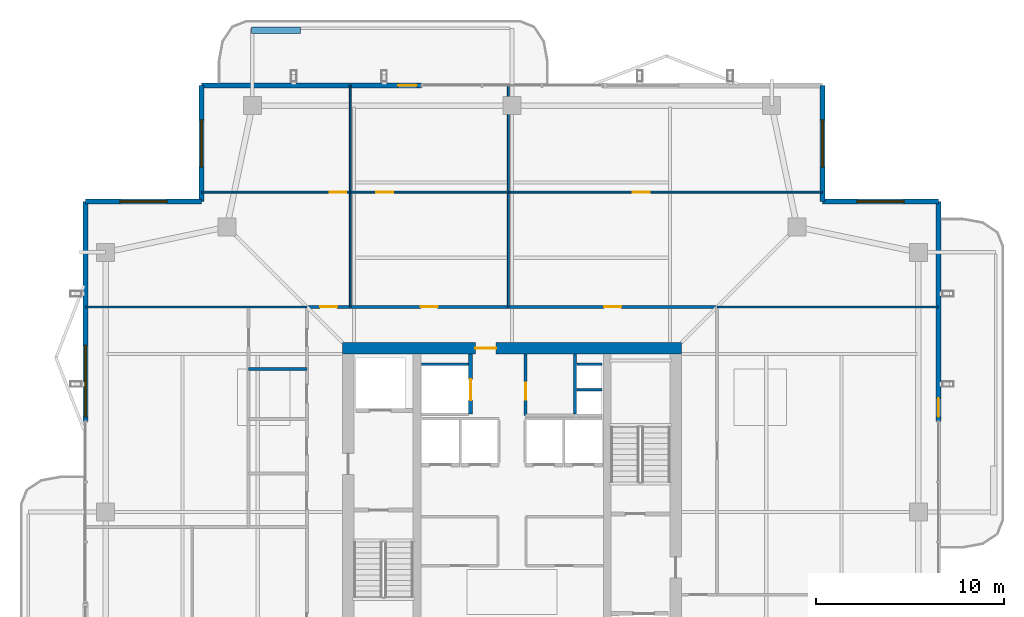
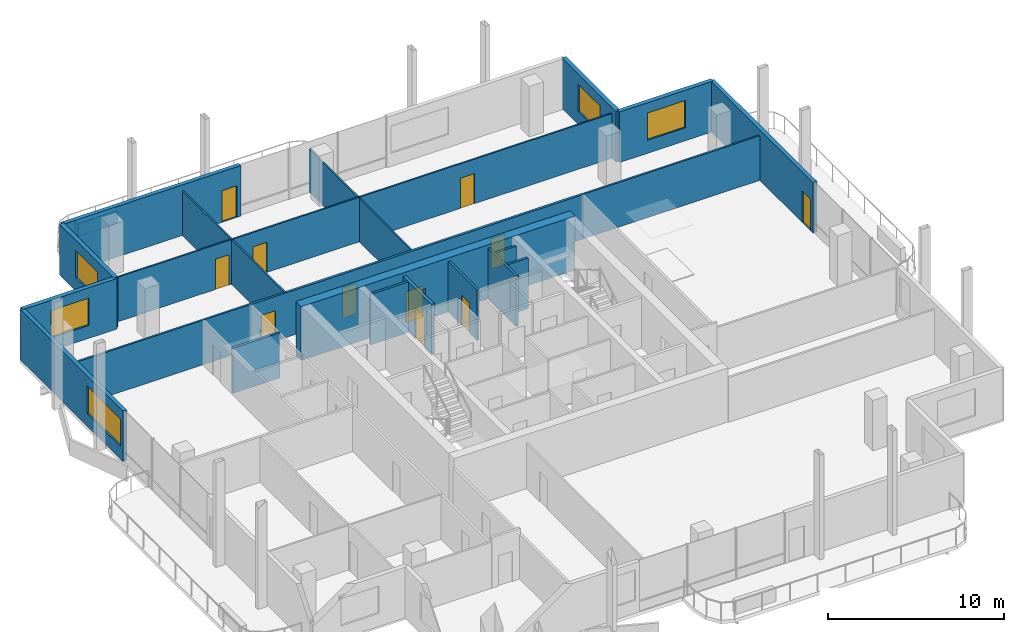
# One storey, part 16 of 20: 24 walls, 11 doors, 5 windows, 16 openings.
"""IFC4 building model written with IfcOpenShell, lengths in metres."""

from ifc_helpers import new_model, si_unit, direction, frame, frame_2d, origin, place, context, subcontext, project, spatial, rectangle, extrude, material, layer, layer_set, type_object, element, fill, save


model = new_model("IFC4")

# Units and contexts
model_context = context("Model", 3, precision=1e-05, world=origin(), true_north=direction((0.0, 1.0)))
body_context = subcontext(model_context, "Body", "Model", "MODEL_VIEW")
ifc_project = project(units=[si_unit("LENGTHUNIT", "METRE"), si_unit("AREAUNIT", "SQUARE_METRE"), si_unit("VOLUMEUNIT", "CUBIC_METRE"), si_unit("PLANEANGLEUNIT", "RADIAN"), si_unit("MASSUNIT", "GRAM", prefix="KILO")], contexts=[model_context])

# Site, building, storey
site_placement = place(None, origin())
site = spatial("IfcSite", under=ifc_project, at=site_placement, CompositionType="ELEMENT")
building_placement = place(site_placement, origin())
building = spatial("IfcBuilding", under=site, at=building_placement, Name="Belovzor Exchange Tower", CompositionType="ELEMENT")
storey_placement = place(building_placement, frame((0.0, 0.0, 299.25)))
storey = spatial("IfcBuildingStorey", under=building, at=storey_placement, Name="L74", CompositionType="ELEMENT", Elevation=299.25)

# Walls
ifc_material_1 = material(Name="Acoustic Plasterboard on Galvanised Studs", Category="gypsum")
ifc_layer_1 = layer(ifc_material_1, 0.1201171875)
ifc_layer_set_1 = layer_set([ifc_layer_1], Name="Acoustic Plasterboard on Galvanised Studs")
wall_type_1 = type_object("IfcWallType", Name="Acoustic Double-Stud Partition Wall 120", PredefinedType="PARTITIONING", material=ifc_layer_set_1)
for number, where, z_axis, x_axis, name in (
    (1, (6.1298828125, 39.699951171875, 0.0), (0.0, 0.0, 1.0), (1.0, 0.0, 0.0), "W-P120 Partition Wall W-L74-END-NW"),
    (2, (39.699951171875, 39.699951171875, 0.0), (0.0, 0.0, 1.0), (1.0, 0.0, 0.0), "W-P120 Partition Wall W-L74-END-NE"),
):
    element("IfcWall", number, at=place(storey_placement, frame(where, z_axis=z_axis, x_axis=x_axis)), inside=storey, type_object=wall_type_1, Name=name, PredefinedType="PARTITIONING", context=body_context, shape_type="SweptSolid", body=[
        extrude(rectangle(XDim=11.77001953125, YDim=0.1201171875, at=frame_2d((5.885009765625, 0.0))), origin(), (0.0, 0.0, 1.0), 3.094970703125),
    ])

# Wall, opening, door
ifc_material_2 = material(Name="Acoustic Laminated Glass and Aluminium", Category="aluminium")
ifc_layer_2 = layer(ifc_material_2, 0.10009765625)
ifc_layer_set_2 = layer_set([ifc_layer_2], Name="Acoustic Laminated Glass and Aluminium")
wall_type_2 = type_object("IfcWallType", Name="Demountable Executive Glass Partition 100", PredefinedType="MOVABLE", material=ifc_layer_set_2)
wall_1_placement = place(storey_placement, frame((12.300048828125, 45.802978515625, 0.0), z_axis=(0.0, 0.0, 1.0), x_axis=(1.0, 0.0, 0.0)))
wall_1 = element("IfcWall", 3, at=wall_1_placement, inside=storey, type_object=wall_type_2, Name="W-M100 Partition Wall W-L74-NHDIV-0", PredefinedType="MOVABLE", context=body_context, shape_type="SweptSolid", body=[
    extrude(rectangle(XDim=7.89990234375, YDim=0.10009765625, at=frame_2d((3.949951171875, 0.0))), origin(), (0.0, 0.0, 1.0), 3.094970703125),
])
opening_1_placement = place(wall_1_placement, frame((6.800048828125, 0.0, 0.0)))
opening_1 = element("IfcOpeningElement", 4, at=opening_1_placement, cuts=wall_1, Name="Opening D-INT-090", PredefinedType="OPENING", context=body_context, shape_type="SweptSolid", body=[
    extrude(rectangle(XDim=0.89990234375, YDim=2.10009765625, at=frame_2d((0.449951171875, 1.050048828125))), frame((0.0, 0.06005859375, 0.0), z_axis=(0.0, -1.0, 0.0), x_axis=(1.0, 0.0, 0.0)), (0.0, 0.0, 1.0), 0.1201171875),
])
ifc_material_3 = material(Name="Veneered Hardwood Acoustic Leaf", Category="wood")
door_type_1 = type_object("IfcDoorType", Name="Trading Suite Acoustic Single Door 900x2100", OperationType="NOTDEFINED", PredefinedType="DOOR", material=ifc_material_3)
door_1_placement = place(opening_1_placement, origin())
door_1 = element("IfcDoor", 5, at=door_1_placement, inside=storey, type_object=door_type_1, Name="D-INT-090 Trading Suite Acoustic Single Door 900x2100", OperationType="SINGLE_SWING_RIGHT", OverallHeight=2.10009765625, OverallWidth=0.89990234375, PredefinedType="DOOR", context=body_context, shape_type="SweptSolid", body=[
    extrude(rectangle(XDim=0.89990234375, YDim=2.10009765625, at=frame_2d((0.449951171875, 1.050048828125))), frame((0.0, 0.02490234375, 0.0), z_axis=(0.0, -1.0, 0.0), x_axis=(1.0, 0.0, 0.0)), (0.0, 0.0, 1.0), 0.050048828125),
])
fill(opening_1, door_1)

# Wall
wall_2_placement = place(storey_placement, frame((20.199951171875, 39.699951171875, 0.0), z_axis=(0.0, 0.0, 1.0), x_axis=(0.0, 1.0, 0.0)))
element("IfcWall", 6, at=wall_2_placement, inside=storey, type_object=wall_type_2, Name="W-M100 Partition Wall W-L74-NDIV-1", PredefinedType="MOVABLE", context=body_context, shape_type="SweptSolid", body=[
    extrude(rectangle(XDim=11.77001953125, YDim=0.10009765625, at=frame_2d((5.885009765625, 0.0))), origin(), (0.0, 0.0, 1.0), 3.094970703125),
])

# Wall, opening, door
wall_3_placement = place(storey_placement, frame((20.199951171875, 45.802978515625, 0.0), z_axis=(0.0, 0.0, 1.0), x_axis=(1.0, 0.0, 0.0)))
wall_3 = element("IfcWall", 7, at=wall_3_placement, inside=storey, type_object=wall_type_2, Name="W-M100 Partition Wall W-L74-NHDIV-1", PredefinedType="MOVABLE", context=body_context, shape_type="SweptSolid", body=[
    extrude(rectangle(XDim=8.405029296875, YDim=0.10009765625, at=frame_2d((4.20263671875, 0.0))), origin(), (0.0, 0.0, 1.0), 3.094970703125),
])
opening_2_placement = place(wall_3_placement, frame((1.384033203125, 0.0, 0.0)))
opening_2 = element("IfcOpeningElement", 8, at=opening_2_placement, cuts=wall_3, Name="Opening D-INT-090", PredefinedType="OPENING", context=body_context, shape_type="SweptSolid", body=[
    extrude(rectangle(XDim=0.89990234375, YDim=2.10009765625, at=frame_2d((0.449951171875, 1.050048828125))), frame((0.0, 0.06005859375, 0.0), z_axis=(0.0, -1.0, 0.0), x_axis=(1.0, 0.0, 0.0)), (0.0, 0.0, 1.0), 0.1201171875),
])
door_2_placement = place(opening_2_placement, origin())
door_2 = element("IfcDoor", 9, at=door_2_placement, inside=storey, type_object=door_type_1, Name="D-INT-090 Trading Suite Acoustic Single Door 900x2100", OperationType="SINGLE_SWING_RIGHT", OverallHeight=2.10009765625, OverallWidth=0.89990234375, PredefinedType="DOOR", context=body_context, shape_type="SweptSolid", body=[
    extrude(rectangle(XDim=0.89990234375, YDim=2.10009765625, at=frame_2d((0.449951171875, 1.050048828125))), frame((0.0, 0.02490234375, 0.0), z_axis=(0.0, -1.0, 0.0), x_axis=(1.0, 0.0, 0.0)), (0.0, 0.0, 1.0), 0.050048828125),
])
fill(opening_2, door_2)

# Wall
wall_4_placement = place(storey_placement, frame((28.60498046875, 39.699951171875, 0.0), z_axis=(0.0, 0.0, 1.0), x_axis=(0.0, 1.0, 0.0)))
element("IfcWall", 10, at=wall_4_placement, inside=storey, type_object=wall_type_2, Name="W-M100 Partition Wall W-L74-NDIV-2", PredefinedType="MOVABLE", context=body_context, shape_type="SweptSolid", body=[
    extrude(rectangle(XDim=11.77001953125, YDim=0.10009765625, at=frame_2d((5.885009765625, 0.0))), origin(), (0.0, 0.0, 1.0), 2.9951171875),
])

# Wall, opening, door
wall_5_placement = place(storey_placement, frame((28.60498046875, 45.802978515625, 0.0), z_axis=(0.0, 0.0, 1.0), x_axis=(1.0, 0.0, 0.0)))
wall_5 = element("IfcWall", 11, at=wall_5_placement, inside=storey, type_object=wall_type_2, Name="W-M100 Partition Wall W-L74-NHDIV-2", PredefinedType="MOVABLE", context=body_context, shape_type="SweptSolid", body=[
    extrude(rectangle(XDim=16.695068359375, YDim=0.10009765625, at=frame_2d((8.34765625, 0.0))), origin(), (0.0, 0.0, 1.0), 3.094970703125),
])
opening_3_placement = place(wall_5_placement, frame((6.614990234375, 0.0, 0.0)))
opening_3 = element("IfcOpeningElement", 12, at=opening_3_placement, cuts=wall_5, Name="Opening D-INT-090", PredefinedType="OPENING", context=body_context, shape_type="SweptSolid", body=[
    extrude(rectangle(XDim=0.89990234375, YDim=2.10009765625, at=frame_2d((0.449951171875, 1.050048828125))), frame((0.0, 0.06005859375, 0.0), z_axis=(0.0, -1.0, 0.0), x_axis=(1.0, 0.0, 0.0)), (0.0, 0.0, 1.0), 0.1201171875),
])
door_3_placement = place(opening_3_placement, origin())
door_3 = element("IfcDoor", 13, at=door_3_placement, inside=storey, type_object=door_type_1, Name="D-INT-090 Trading Suite Acoustic Single Door 900x2100", OperationType="SINGLE_SWING_RIGHT", OverallHeight=2.10009765625, OverallWidth=0.89990234375, PredefinedType="DOOR", context=body_context, shape_type="SweptSolid", body=[
    extrude(rectangle(XDim=0.89990234375, YDim=2.10009765625, at=frame_2d((0.449951171875, 1.050048828125))), frame((0.0, 0.02490234375, 0.0), z_axis=(0.0, -1.0, 0.0), x_axis=(1.0, 0.0, 0.0)), (0.0, 0.0, 1.0), 0.050048828125),
])
fill(opening_3, door_3)

ifc_material_4 = material(Name="Fire-Rated Gypsum Block and Mineral Wool", Category="gypsum")
ifc_layer_3 = layer(ifc_material_4, 0.14990234375)
ifc_layer_set_3 = layer_set([ifc_layer_3], Name="Fire-Rated Gypsum Block and Mineral Wool")
wall_type_3 = type_object("IfcWallType", Name="Fire-Rated Gypsum Block Corridor Wall 150", PredefinedType="PARTITIONING", material=ifc_layer_set_3)
wall_6_placement = place(storey_placement, frame((29.52490234375, 33.925048828125, 0.0), z_axis=(0.0, 0.0, 1.0), x_axis=(0.0, 1.0, 0.0)))
wall_6 = element("IfcWall", 14, at=wall_6_placement, inside=storey, type_object=wall_type_3, Name="W-P150 Partition Wall W-CRV-L74-W", PredefinedType="PARTITIONING", context=body_context, shape_type="SweptSolid", body=[
    extrude(rectangle(XDim=3.27490234375, YDim=0.14990234375, at=frame_2d((1.637451171875, 0.0))), origin(), (0.0, 0.0, 1.0), 3.510009765625),
])
opening_4_placement = place(wall_6_placement, frame((0.85009765625, 0.0, 0.0)))
opening_4 = element("IfcOpeningElement", 15, at=opening_4_placement, cuts=wall_6, Name="Opening D-FD60-090", PredefinedType="OPENING", context=body_context, shape_type="SweptSolid", body=[
    extrude(rectangle(XDim=0.89990234375, YDim=2.10009765625, at=frame_2d((0.449951171875, 1.050048828125))), frame((0.0, 0.0849609375, 0.0), z_axis=(0.0, -1.0, 0.0), x_axis=(1.0, 0.0, 0.0)), (0.0, 0.0, 1.0), 0.169921875),
])
ifc_material_5 = material(Name="Acoustic Timber Fire Leaf", Category="wood")
door_type_2 = type_object("IfcDoorType", Name="Core Service & Restroom Fire Door 900x2100", OperationType="NOTDEFINED", PredefinedType="DOOR", material=ifc_material_5)
door_4_placement = place(opening_4_placement, origin())
door_4 = element("IfcDoor", 16, at=door_4_placement, inside=storey, type_object=door_type_2, Name="D-FD60-090 Core Service & Restroom Fire Door 900x2100", OperationType="SINGLE_SWING_LEFT", OverallHeight=2.10009765625, OverallWidth=0.89990234375, PredefinedType="DOOR", context=body_context, shape_type="SweptSolid", body=[
    extrude(rectangle(XDim=0.89990234375, YDim=2.10009765625, at=frame_2d((0.449951171875, 1.050048828125))), frame((0.0, 0.02490234375, 0.0), z_axis=(0.0, -1.0, 0.0), x_axis=(1.0, 0.0, 0.0)), (0.0, 0.0, 1.0), 0.050048828125),
])
fill(opening_4, door_4)

# Wall
wall_7_placement = place(storey_placement, frame((14.800048828125, 36.39990234375, 0.0), z_axis=(0.0, 0.0, 1.0), x_axis=(1.0, 0.0, 0.0)))
element("IfcWall", 17, at=wall_7_placement, inside=storey, type_object=wall_type_3, Name="W-P150 Partition Wall W-L74-WCN", PredefinedType="PARTITIONING", context=body_context, shape_type="SweptSolid", body=[
    extrude(rectangle(XDim=3.099853515625, YDim=0.14990234375, at=frame_2d((1.5498046875, 0.0))), origin(), (0.0, 0.0, 1.0), 3.135009765625),
])

# Wall, openings, doors
wall_8_placement = place(storey_placement, frame((17.89990234375, 39.699951171875, 0.0), z_axis=(0.0, 0.0, 1.0), x_axis=(1.0, 0.0, 0.0)))
wall_8 = element("IfcWall", 18, at=wall_8_placement, inside=storey, type_object=wall_type_3, Name="W-P150 Partition Wall W-L74-CN", PredefinedType="PARTITIONING", context=body_context, shape_type="SweptSolid", body=[
    extrude(rectangle(XDim=21.800048828125, YDim=0.14990234375, at=frame_2d((10.89990234375, 0.0))), origin(), (0.0, 0.0, 1.0), 3.094970703125),
])
opening_5_placement = place(wall_8_placement, frame((0.699951171875, 0.0, 0.0)))
opening_5 = element("IfcOpeningElement", 19, at=opening_5_placement, cuts=wall_8, Name="Opening D-INT-090", PredefinedType="OPENING", context=body_context, shape_type="SweptSolid", body=[
    extrude(rectangle(XDim=0.89990234375, YDim=2.10009765625, at=frame_2d((0.449951171875, 1.050048828125))), frame((0.0, 0.0849609375, 0.0), z_axis=(0.0, -1.0, 0.0), x_axis=(1.0, 0.0, 0.0)), (0.0, 0.0, 1.0), 0.169921875),
])
opening_6_placement = place(wall_8_placement, frame((6.052978515625, 0.0, 0.0)))
opening_6 = element("IfcOpeningElement", 20, at=opening_6_placement, cuts=wall_8, Name="Opening D-INT-090", PredefinedType="OPENING", context=body_context, shape_type="SweptSolid", body=[
    extrude(rectangle(XDim=0.89990234375, YDim=2.10009765625, at=frame_2d((0.449951171875, 1.050048828125))), frame((0.0, 0.0849609375, 0.0), z_axis=(0.0, -1.0, 0.0), x_axis=(1.0, 0.0, 0.0)), (0.0, 0.0, 1.0), 0.169921875),
])
opening_7_placement = place(wall_8_placement, frame((15.802978515625, 0.0, 0.0)))
opening_7 = element("IfcOpeningElement", 21, at=opening_7_placement, cuts=wall_8, Name="Opening D-INT-090", PredefinedType="OPENING", context=body_context, shape_type="SweptSolid", body=[
    extrude(rectangle(XDim=0.89990234375, YDim=2.10009765625, at=frame_2d((0.449951171875, 1.050048828125))), frame((0.0, 0.0849609375, 0.0), z_axis=(0.0, -1.0, 0.0), x_axis=(1.0, 0.0, 0.0)), (0.0, 0.0, 1.0), 0.169921875),
])
door_5_placement = place(opening_5_placement, origin())
door_5 = element("IfcDoor", 22, at=door_5_placement, inside=storey, type_object=door_type_1, Name="D-INT-090 Trading Suite Acoustic Single Door 900x2100", OperationType="SINGLE_SWING_RIGHT", OverallHeight=2.10009765625, OverallWidth=0.89990234375, PredefinedType="DOOR", context=body_context, shape_type="SweptSolid", body=[
    extrude(rectangle(XDim=0.89990234375, YDim=2.10009765625, at=frame_2d((0.449951171875, 1.050048828125))), frame((0.0, 0.02490234375, 0.0), z_axis=(0.0, -1.0, 0.0), x_axis=(1.0, 0.0, 0.0)), (0.0, 0.0, 1.0), 0.050048828125),
])
fill(opening_5, door_5)
door_6_placement = place(opening_6_placement, origin())
door_6 = element("IfcDoor", 23, at=door_6_placement, inside=storey, type_object=door_type_1, Name="D-INT-090 Trading Suite Acoustic Single Door 900x2100", OperationType="SINGLE_SWING_LEFT", OverallHeight=2.10009765625, OverallWidth=0.89990234375, PredefinedType="DOOR", context=body_context, shape_type="SweptSolid", body=[
    extrude(rectangle(XDim=0.89990234375, YDim=2.10009765625, at=frame_2d((0.449951171875, 1.050048828125))), frame((0.0, 0.02490234375, 0.0), z_axis=(0.0, -1.0, 0.0), x_axis=(1.0, 0.0, 0.0)), (0.0, 0.0, 1.0), 0.050048828125),
])
fill(opening_6, door_6)
door_7_placement = place(opening_7_placement, origin())
door_7 = element("IfcDoor", 24, at=door_7_placement, inside=storey, type_object=door_type_1, Name="D-INT-090 Trading Suite Acoustic Single Door 900x2100", OperationType="SINGLE_SWING_RIGHT", OverallHeight=2.10009765625, OverallWidth=0.89990234375, PredefinedType="DOOR", context=body_context, shape_type="SweptSolid", body=[
    extrude(rectangle(XDim=0.89990234375, YDim=2.10009765625, at=frame_2d((0.449951171875, 1.050048828125))), frame((0.0, 0.02490234375, 0.0), z_axis=(0.0, -1.0, 0.0), x_axis=(1.0, 0.0, 0.0)), (0.0, 0.0, 1.0), 0.050048828125),
])
fill(opening_7, door_7)

# Wall, opening, window
ifc_material_6 = material(Name="Precast concrete C40/50", Category="concrete")
ifc_layer_4 = layer(ifc_material_6, 0.280029296875)
ifc_layer_set_4 = layer_set([ifc_layer_4], Name="Precast concrete C40/50")
wall_type_4 = type_object("IfcWallType", Name="Precast Concrete Notched Corner Frame Wall 280", PredefinedType="SOLIDWALL", material=ifc_layer_set_4)
wall_9_placement = place(storey_placement, frame((6.1298828125, 45.300048828125, 0.0), z_axis=(0.0, 0.0, 1.0), x_axis=(1.0, 0.0, 0.0)))
wall_9 = element("IfcWall", 25, at=wall_9_placement, inside=storey, type_object=wall_type_4, Name="W-CRN280 Precast Concrete Notched Corner Frame Wall 280 L74", PredefinedType="SOLIDWALL", context=body_context, shape_type="SweptSolid", body=[
    extrude(rectangle(XDim=6.170166015625, YDim=0.280029296875, at=frame_2d((3.0849609375, 0.0))), origin(), (0.0, 0.0, 1.0), 3.510009765625),
])
opening_8_placement = place(wall_9_placement, frame((1.8349609375, 0.0, 0.89990234375)))
opening_8 = element("IfcOpeningElement", 26, at=opening_8_placement, cuts=wall_9, Name="Opening WN-CRN250", PredefinedType="OPENING", context=body_context, shape_type="SweptSolid", body=[
    extrude(rectangle(XDim=2.5, YDim=1.89990234375, at=frame_2d((1.25, 0.949951171875))), frame((0.0, 0.14990234375, 0.0), z_axis=(0.0, -1.0, 0.0), x_axis=(1.0, 0.0, 0.0)), (0.0, 0.0, 1.0), 0.300048828125),
])
ifc_material_7 = material(Name="Thermally Broken Aluminium and Triple Glazing", Category="aluminium")
window_type_1 = type_object("IfcWindowType", Name="Streamline Moderne Corner Wrap Ribbon Window 2500x1900", PartitioningType="SINGLE_PANEL", PredefinedType="WINDOW", material=ifc_material_7)
window_1_placement = place(opening_8_placement, origin())
window_1 = element("IfcWindow", 27, at=window_1_placement, inside=storey, type_object=window_type_1, Name="WN-CRN250 Streamline Moderne Corner Wrap Ribbon Window 2500x1900", OverallHeight=1.89990234375, OverallWidth=2.5, PartitioningType="SINGLE_PANEL", PredefinedType="WINDOW", context=body_context, shape_type="SweptSolid", body=[
    extrude(rectangle(XDim=2.5, YDim=1.89990234375, at=frame_2d((1.25, 0.949951171875))), frame((0.0, 0.030029296875, 0.0), z_axis=(0.0, -1.0, 0.0), x_axis=(1.0, 0.0, 0.0)), (0.0, 0.0, 1.0), 0.06005859375),
])
fill(opening_8, window_1)

wall_10_placement = place(storey_placement, frame((12.300048828125, 45.300048828125, 0.0), z_axis=(0.0, 0.0, 1.0), x_axis=(0.0, 1.0, 0.0)))
wall_10 = element("IfcWall", 28, at=wall_10_placement, inside=storey, type_object=wall_type_4, Name="W-CRN280 Precast Concrete Notched Corner Frame Wall 280 L74", PredefinedType="SOLIDWALL", context=body_context, shape_type="SweptSolid", body=[
    extrude(rectangle(XDim=6.169921875, YDim=0.280029296875, at=frame_2d((3.0849609375, 0.0))), origin(), (0.0, 0.0, 1.0), 3.510009765625),
])
opening_9_placement = place(wall_10_placement, frame((1.8349609375, 0.0, 0.89990234375)))
opening_9 = element("IfcOpeningElement", 29, at=opening_9_placement, cuts=wall_10, Name="Opening WN-CRN250", PredefinedType="OPENING", context=body_context, shape_type="SweptSolid", body=[
    extrude(rectangle(XDim=2.5, YDim=1.89990234375, at=frame_2d((1.25, 0.949951171875))), frame((0.0, 0.14990234375, 0.0), z_axis=(0.0, -1.0, 0.0), x_axis=(1.0, 0.0, 0.0)), (0.0, 0.0, 1.0), 0.300048828125),
])
window_2_placement = place(opening_9_placement, origin())
window_2 = element("IfcWindow", 30, at=window_2_placement, inside=storey, type_object=window_type_1, Name="WN-CRN250 Streamline Moderne Corner Wrap Ribbon Window 2500x1900", OverallHeight=1.89990234375, OverallWidth=2.5, PartitioningType="SINGLE_PANEL", PredefinedType="WINDOW", context=body_context, shape_type="SweptSolid", body=[
    extrude(rectangle(XDim=2.5, YDim=1.89990234375, at=frame_2d((1.25, 0.949951171875))), frame((0.0, 0.030029296875, 0.0), z_axis=(0.0, -1.0, 0.0), x_axis=(1.0, 0.0, 0.0)), (0.0, 0.0, 1.0), 0.06005859375),
])
fill(opening_9, window_2)

wall_11_placement = place(storey_placement, frame((45.300048828125, 51.469970703125, 0.0), z_axis=(0.0, 0.0, 1.0), x_axis=(0.0, -1.0, 0.0)))
wall_11 = element("IfcWall", 31, at=wall_11_placement, inside=storey, type_object=wall_type_4, Name="W-CRN280 Precast Concrete Notched Corner Frame Wall 280 L74", PredefinedType="SOLIDWALL", context=body_context, shape_type="SweptSolid", body=[
    extrude(rectangle(XDim=6.169921875, YDim=0.280029296875, at=frame_2d((3.0849609375, 0.0))), origin(), (0.0, 0.0, 1.0), 3.510009765625),
])
opening_10_placement = place(wall_11_placement, frame((1.8349609375, 0.0, 0.89990234375)))
opening_10 = element("IfcOpeningElement", 32, at=opening_10_placement, cuts=wall_11, Name="Opening WN-CRN250", PredefinedType="OPENING", context=body_context, shape_type="SweptSolid", body=[
    extrude(rectangle(XDim=2.5, YDim=1.89990234375, at=frame_2d((1.25, 0.949951171875))), frame((0.0, 0.14990234375, 0.0), z_axis=(0.0, -1.0, 0.0), x_axis=(1.0, 0.0, 0.0)), (0.0, 0.0, 1.0), 0.300048828125),
])
window_3_placement = place(opening_10_placement, origin())
window_3 = element("IfcWindow", 33, at=window_3_placement, inside=storey, type_object=window_type_1, Name="WN-CRN250 Streamline Moderne Corner Wrap Ribbon Window 2500x1900", OverallHeight=1.89990234375, OverallWidth=2.5, PartitioningType="SINGLE_PANEL", PredefinedType="WINDOW", context=body_context, shape_type="SweptSolid", body=[
    extrude(rectangle(XDim=2.5, YDim=1.89990234375, at=frame_2d((1.25, 0.949951171875))), frame((0.0, 0.030029296875, 0.0), z_axis=(0.0, -1.0, 0.0), x_axis=(1.0, 0.0, 0.0)), (0.0, 0.0, 1.0), 0.06005859375),
])
fill(opening_10, window_3)

wall_12_placement = place(storey_placement, frame((45.300048828125, 45.300048828125, 0.0), z_axis=(0.0, 0.0, 1.0), x_axis=(1.0, 0.0, 0.0)))
wall_12 = element("IfcWall", 34, at=wall_12_placement, inside=storey, type_object=wall_type_4, Name="W-CRN280 Precast Concrete Notched Corner Frame Wall 280 L74", PredefinedType="SOLIDWALL", context=body_context, shape_type="SweptSolid", body=[
    extrude(rectangle(XDim=6.169921875, YDim=0.280029296875, at=frame_2d((3.0849609375, 0.0))), origin(), (0.0, 0.0, 1.0), 3.510009765625),
])
opening_11_placement = place(wall_12_placement, frame((1.8349609375, 0.0, 0.89990234375)))
opening_11 = element("IfcOpeningElement", 35, at=opening_11_placement, cuts=wall_12, Name="Opening WN-CRN250", PredefinedType="OPENING", context=body_context, shape_type="SweptSolid", body=[
    extrude(rectangle(XDim=2.5, YDim=1.89990234375, at=frame_2d((1.25, 0.949951171875))), frame((0.0, 0.14990234375, 0.0), z_axis=(0.0, -1.0, 0.0), x_axis=(1.0, 0.0, 0.0)), (0.0, 0.0, 1.0), 0.300048828125),
])
window_4_placement = place(opening_11_placement, origin())
window_4 = element("IfcWindow", 36, at=window_4_placement, inside=storey, type_object=window_type_1, Name="WN-CRN250 Streamline Moderne Corner Wrap Ribbon Window 2500x1900", OverallHeight=1.89990234375, OverallWidth=2.5, PartitioningType="SINGLE_PANEL", PredefinedType="WINDOW", context=body_context, shape_type="SweptSolid", body=[
    extrude(rectangle(XDim=2.5, YDim=1.89990234375, at=frame_2d((1.25, 0.949951171875))), frame((0.0, 0.030029296875, 0.0), z_axis=(0.0, -1.0, 0.0), x_axis=(1.0, 0.0, 0.0)), (0.0, 0.0, 1.0), 0.06005859375),
])
fill(opening_11, window_4)

# Wall, opening, door
ifc_material_8 = material(Name="Precast concrete C40/50", Category="concrete")
ifc_layer_5 = layer(ifc_material_8, 0.260009765625)
ifc_layer_set_5 = layer_set([ifc_layer_5], Name="Precast concrete C40/50")
wall_type_5 = type_object("IfcWallType", Name="Precast Concrete Perimeter Loggia Frame Wall 260", PredefinedType="SOLIDWALL", material=ifc_layer_set_5)
wall_13_placement = place(storey_placement, frame((12.300048828125, 51.469970703125, 0.0), z_axis=(0.0, 0.0, 1.0), x_axis=(1.0, 0.0, 0.0)))
wall_13 = element("IfcWall", 37, at=wall_13_placement, inside=storey, type_object=wall_type_5, Name="W-EXT260 Precast Concrete Perimeter Loggia Frame Wall 260 L74", PredefinedType="SOLIDWALL", context=body_context, shape_type="SweptSolid", body=[
    extrude(rectangle(XDim=11.699951171875, YDim=0.260009765625, at=frame_2d((5.85009765625, 0.0))), origin(), (0.0, 0.0, 1.0), 3.510009765625),
])
opening_12_placement = place(wall_13_placement, frame((10.449951171875, 0.0, 0.0)))
opening_12 = element("IfcOpeningElement", 38, at=opening_12_placement, cuts=wall_13, Name="Opening D-BAL100", PredefinedType="OPENING", context=body_context, shape_type="SweptSolid", body=[
    extrude(rectangle(XDim=1.0, YDim=2.199951171875, at=frame_2d((0.5, 1.10009765625))), frame((0.0, 0.139892578125, 0.0), z_axis=(0.0, -1.0, 0.0), x_axis=(1.0, 0.0, 0.0)), (0.0, 0.0, 1.0), 0.280029296875),
])
ifc_material_9 = material(Name="Thermally Broken Anodised Aluminium and Laminated Glass", Category="aluminium")
door_type_3 = type_object("IfcDoorType", Name="Planted Loggia Terrace Glazed Door 1000x2200", OperationType="SINGLE_SWING_LEFT", PredefinedType="DOOR", material=ifc_material_9)
door_8_placement = place(opening_12_placement, origin())
door_8 = element("IfcDoor", 39, at=door_8_placement, inside=storey, type_object=door_type_3, Name="D-BAL100 Balcony Terrace Door L74 N", OperationType="SINGLE_SWING_RIGHT", OverallHeight=2.199951171875, OverallWidth=1.0, PredefinedType="DOOR", context=body_context, shape_type="SweptSolid", body=[
    extrude(rectangle(XDim=1.0, YDim=2.199951171875, at=frame_2d((0.5, 1.10009765625))), frame((0.0, 0.02490234375, 0.0), z_axis=(0.0, -1.0, 0.0), x_axis=(1.0, 0.0, 0.0)), (0.0, 0.0, 1.0), 0.050048828125),
])
fill(opening_12, door_8)

# Wall, opening, window
wall_14_placement = place(storey_placement, frame((6.1298828125, 33.60009765625, 0.0), z_axis=(0.0, 0.0, 1.0), x_axis=(0.0, 1.0, 0.0)))
wall_14 = element("IfcWall", 40, at=wall_14_placement, inside=storey, type_object=wall_type_5, Name="W-EXT260 Precast Concrete Perimeter Loggia Frame Wall 260 L74", PredefinedType="SOLIDWALL", context=body_context, shape_type="SweptSolid", body=[
    extrude(rectangle(XDim=11.699951171875, YDim=0.260009765625, at=frame_2d((5.85009765625, 0.0))), origin(), (0.0, 0.0, 1.0), 3.510009765625),
])
opening_13_placement = place(wall_14_placement, frame((0.25, 0.0, 0.89990234375)))
opening_13 = element("IfcOpeningElement", 41, at=opening_13_placement, cuts=wall_14, Name="Opening WN-RIB380", PredefinedType="OPENING", context=body_context, shape_type="SweptSolid", body=[
    extrude(rectangle(XDim=3.800048828125, YDim=1.89990234375, at=frame_2d((1.89990234375, 0.949951171875))), frame((0.0, 0.139892578125, 0.0), z_axis=(0.0, -1.0, 0.0), x_axis=(1.0, 0.0, 0.0)), (0.0, 0.0, 1.0), 0.280029296875),
])
ifc_material_10 = material(Name="Thermally Broken Aluminium and Triple Glazing", Category="aluminium")
window_type_2 = type_object("IfcWindowType", Name="Streamline Moderne Horizontal Ribbon Window 3800x1900", PartitioningType="SINGLE_PANEL", PredefinedType="WINDOW", material=ifc_material_10)
window_5_placement = place(opening_13_placement, origin())
window_5 = element("IfcWindow", 42, at=window_5_placement, inside=storey, type_object=window_type_2, Name="WN-RIB380 Streamline Moderne Horizontal Ribbon Window 3800x1900", OverallHeight=1.89990234375, OverallWidth=3.800048828125, PartitioningType="SINGLE_PANEL", PredefinedType="WINDOW", context=body_context, shape_type="SweptSolid", body=[
    extrude(rectangle(XDim=3.800048828125, YDim=1.89990234375, at=frame_2d((1.89990234375, 0.949951171875))), frame((0.0, 0.030029296875, 0.0), z_axis=(0.0, -1.0, 0.0), x_axis=(1.0, 0.0, 0.0)), (0.0, 0.0, 1.0), 0.06005859375),
])
fill(opening_13, window_5)

# Wall, opening, door
wall_15_placement = place(storey_placement, frame((51.469970703125, 45.300048828125, 0.0), z_axis=(0.0, 0.0, 1.0), x_axis=(0.0, -1.0, 0.0)))
wall_15 = element("IfcWall", 43, at=wall_15_placement, inside=storey, type_object=wall_type_5, Name="W-EXT260 Precast Concrete Perimeter Loggia Frame Wall 260 L74", PredefinedType="SOLIDWALL", context=body_context, shape_type="SweptSolid", body=[
    extrude(rectangle(XDim=11.699951171875, YDim=0.260009765625, at=frame_2d((5.85009765625, 0.0))), origin(), (0.0, 0.0, 1.0), 3.510009765625),
])
opening_14_placement = place(wall_15_placement, frame((10.449951171875, 0.0, 0.0)))
opening_14 = element("IfcOpeningElement", 44, at=opening_14_placement, cuts=wall_15, Name="Opening D-BAL100", PredefinedType="OPENING", context=body_context, shape_type="SweptSolid", body=[
    extrude(rectangle(XDim=1.0, YDim=2.199951171875, at=frame_2d((0.5, 1.10009765625))), frame((0.0, 0.139892578125, 0.0), z_axis=(0.0, -1.0, 0.0), x_axis=(1.0, 0.0, 0.0)), (0.0, 0.0, 1.0), 0.280029296875),
])
door_9_placement = place(opening_14_placement, origin())
door_9 = element("IfcDoor", 45, at=door_9_placement, inside=storey, type_object=door_type_3, Name="D-BAL100 Balcony Terrace Door L74 E", OperationType="SINGLE_SWING_LEFT", OverallHeight=2.199951171875, OverallWidth=1.0, PredefinedType="DOOR", context=body_context, shape_type="SweptSolid", body=[
    extrude(rectangle(XDim=1.0, YDim=2.199951171875, at=frame_2d((0.5, 1.10009765625))), frame((0.0, 0.02490234375, 0.0), z_axis=(0.0, -1.0, 0.0), x_axis=(1.0, 0.0, 0.0)), (0.0, 0.0, 1.0), 0.050048828125),
])
fill(opening_14, door_9)

# Walls
ifc_material_11 = material(Name="Precast concrete C40/50", Category="concrete")
ifc_layer_6 = layer(ifc_material_11, 0.35009765625)
ifc_layer_set_6 = layer_set([ifc_layer_6], Name="Precast concrete C40/50")
wall_type_6 = type_object("IfcWallType", Name="Precast Concrete Structural Tree Planter Trough 350", PredefinedType="PARAPET", material=ifc_layer_set_6)
wall_16_placement = place(storey_placement, frame((14.949951171875, 54.39990234375, 0.0), z_axis=(0.0, 0.0, 1.0), x_axis=(1.0, 0.0, 0.0)))
element("IfcWall", 46, at=wall_16_placement, inside=storey, type_object=wall_type_6, Name="PT-350 Precast Concrete Structural Tree Planter Trough 350 L74", PredefinedType="PARAPET", context=body_context, shape_type="SweptSolid", body=[
    extrude(rectangle(XDim=2.60009765625, YDim=0.35009765625, at=frame_2d((1.300048828125, 0.0))), origin(), (0.0, 0.0, 1.0), 0.89990234375),
])
ifc_material_12 = material(Name="Concrete C50/60", Category="concrete")
ifc_layer_7 = layer(ifc_material_12, 0.14990234375)
ifc_layer_set_7 = layer_set([ifc_layer_7], Name="Concrete C50/60")
wall_type_7 = type_object("IfcWallType", Name="Reinforced Concrete Core Riser Shear Wall 150", PredefinedType="SHEAR", material=ifc_layer_set_7)
wall_17_placement = place(storey_placement, frame((32.14990234375, 34.0, 0.0), z_axis=(0.0, 0.0, 1.0), x_axis=(0.0, 1.0, 0.0)))
element("IfcWall", 47, at=wall_17_placement, inside=storey, type_object=wall_type_7, Name="W-C150S Core Shaft Wall W-RSR-L74-E", PredefinedType="SHEAR", context=body_context, shape_type="SweptSolid", body=[
    extrude(rectangle(XDim=3.199951171875, YDim=0.14990234375, at=frame_2d((1.60009765625, 0.0))), origin(), (0.0, 0.0, 1.0), 3.510009765625),
])
wall_18_placement = place(storey_placement, frame((32.25, 35.300048828125, 0.0), z_axis=(0.0, 0.0, 1.0), x_axis=(1.0, 0.0, 0.0)))
element("IfcWall", 48, at=wall_18_placement, inside=storey, type_object=wall_type_7, Name="W-C150S Core Shaft Wall W-RSR-L74-M", PredefinedType="SHEAR", context=body_context, shape_type="SweptSolid", body=[
    extrude(rectangle(XDim=1.330078125, YDim=0.14990234375, at=frame_2d((0.6650390625, 0.0))), origin(), (0.0, 0.0, 1.0), 3.510009765625),
])
wall_19_placement = place(storey_placement, frame((24.0, 36.64990234375, 0.0), z_axis=(0.0, 0.0, 1.0), x_axis=(1.0, 0.0, 0.0)))
element("IfcWall", 49, at=wall_19_placement, inside=storey, type_object=wall_type_7, Name="W-C150S Core Shaft Wall W-SH-L74-SL-01N", PredefinedType="SHEAR", context=body_context, shape_type="SweptSolid", body=[
    extrude(rectangle(XDim=2.47998046875, YDim=0.14990234375, at=frame_2d((1.239990234375, 0.0))), origin(), (0.0, 0.0, 1.0), 3.510009765625),
])
wall_20_placement = place(storey_placement, frame((32.25, 36.64990234375, 0.0), z_axis=(0.0, 0.0, 1.0), x_axis=(1.0, 0.0, 0.0)))
element("IfcWall", 50, at=wall_20_placement, inside=storey, type_object=wall_type_7, Name="W-C150S Core Shaft Wall W-RSR-L74-N", PredefinedType="SHEAR", context=body_context, shape_type="SweptSolid", body=[
    extrude(rectangle(XDim=1.330078125, YDim=0.14990234375, at=frame_2d((0.6650390625, 0.0))), origin(), (0.0, 0.0, 1.0), 3.510009765625),
])

# Wall, opening, door
ifc_material_13 = material(Name="Concrete C50/60", Category="concrete")
ifc_layer_8 = layer(ifc_material_13, 0.199951171875)
ifc_layer_set_8 = layer_set([ifc_layer_8], Name="Concrete C50/60")
wall_type_8 = type_object("IfcWallType", Name="Reinforced Concrete Core Shaft Shear Wall 200", PredefinedType="SHEAR", material=ifc_layer_set_8)
wall_21_placement = place(storey_placement, frame((26.60009765625, 34.0, 0.0), z_axis=(0.0, 0.0, 1.0), x_axis=(0.0, 1.0, 0.0)))
wall_21 = element("IfcWall", 51, at=wall_21_placement, inside=storey, type_object=wall_type_8, Name="W-C200S Core Shaft Wall W-SH-L74-SL-01", PredefinedType="SHEAR", context=body_context, shape_type="SweptSolid", body=[
    extrude(rectangle(XDim=3.199951171875, YDim=0.199951171875, at=frame_2d((1.60009765625, 0.0))), origin(), (0.0, 0.0, 1.0), 3.510009765625),
])
opening_15_placement = place(wall_21_placement, frame((0.75, 0.0, 0.0)))
opening_15 = element("IfcOpeningElement", 52, at=opening_15_placement, cuts=wall_21, Name="Opening LD-110", PredefinedType="OPENING", context=body_context, shape_type="SweptSolid", body=[
    extrude(rectangle(XDim=1.10009765625, YDim=2.14990234375, at=frame_2d((0.550048828125, 1.074951171875))), frame((0.0, 0.10986328125, 0.0), z_axis=(0.0, -1.0, 0.0), x_axis=(1.0, 0.0, 0.0)), (0.0, 0.0, 1.0), 0.219970703125),
])
ifc_material_14 = material(Name="Stainless Steel Grade 304", Category="steel")
door_type_4 = type_object("IfcDoorType", Name="Automated Stainless Steel Lift Landing Door 1100x2150", OperationType="SLIDING_TO_RIGHT", PredefinedType="DOOR", material=ifc_material_14)
door_10_placement = place(opening_15_placement, origin())
door_10 = element("IfcDoor", 53, at=door_10_placement, inside=storey, type_object=door_type_4, Name="LD-110 Automated Stainless Steel Lift Landing Door 1100x2150", OperationType="SLIDING_TO_RIGHT", OverallHeight=2.14990234375, OverallWidth=1.10009765625, PredefinedType="DOOR", context=body_context, shape_type="SweptSolid", body=[
    extrude(rectangle(XDim=1.10009765625, YDim=2.14990234375, at=frame_2d((0.550048828125, 1.074951171875))), frame((0.0, 0.02490234375, 0.0), z_axis=(0.0, -1.0, 0.0), x_axis=(1.0, 0.0, 0.0)), (0.0, 0.0, 1.0), 0.050048828125),
])
fill(opening_15, door_10)

ifc_material_15 = material(Name="Concrete C50/60", Category="concrete")
ifc_layer_9 = layer(ifc_material_15, 0.60009765625)
ifc_layer_set_9 = layer_set([ifc_layer_9], Name="Concrete C50/60")
wall_type_9 = type_object("IfcWallType", Name="Reinforced Concrete Core Shear Wall 600", PredefinedType="SHEAR", material=ifc_layer_set_9)
wall_22_placement = place(storey_placement, frame((19.800048828125, 37.5, 0.0), z_axis=(0.0, 0.0, 1.0), x_axis=(1.0, 0.0, 0.0)))
wall_22 = element("IfcWall", 54, at=wall_22_placement, inside=storey, type_object=wall_type_9, Name="CW-S060 Core Shear Wall L74 N", PredefinedType="SHEAR", context=body_context, shape_type="SweptSolid", body=[
    extrude(rectangle(XDim=18.0, YDim=0.60009765625, at=frame_2d((9.0, 0.0))), origin(), (0.0, 0.0, 1.0), 3.75),
])
opening_16_placement = place(wall_22_placement, frame((7.050048828125, 0.0, 0.0)))
opening_16 = element("IfcOpeningElement", 55, at=opening_16_placement, cuts=wall_22, Name="Opening D-FD90-110", PredefinedType="OPENING", context=body_context, shape_type="SweptSolid", body=[
    extrude(rectangle(XDim=1.10009765625, YDim=2.14990234375, at=frame_2d((0.550048828125, 1.074951171875))), frame((0.0, 0.31005859375, 0.0), z_axis=(0.0, -1.0, 0.0), x_axis=(1.0, 0.0, 0.0)), (0.0, 0.0, 1.0), 0.6201171875),
])
ifc_material_16 = material(Name="Fire-Rated Galvanised Steel Leaf", Category="steel")
door_type_5 = type_object("IfcDoorType", Name="Protected Escape Vestibule Fire Door 1100x2150", OperationType="NOTDEFINED", PredefinedType="DOOR", material=ifc_material_16)
door_11_placement = place(opening_16_placement, origin())
door_11 = element("IfcDoor", 56, at=door_11_placement, inside=storey, type_object=door_type_5, Name="D-FD90-110 Protected Escape Vestibule Fire Door 1100x2150", OperationType="SINGLE_SWING_LEFT", OverallHeight=2.14990234375, OverallWidth=1.10009765625, PredefinedType="DOOR", context=body_context, shape_type="SweptSolid", body=[
    extrude(rectangle(XDim=1.10009765625, YDim=2.14990234375, at=frame_2d((0.550048828125, 1.074951171875))), frame((0.0, 0.02490234375, 0.0), z_axis=(0.0, -1.0, 0.0), x_axis=(1.0, 0.0, 0.0)), (0.0, 0.0, 1.0), 0.050048828125),
])
fill(opening_16, door_11)

save(model, "model.ifc")
